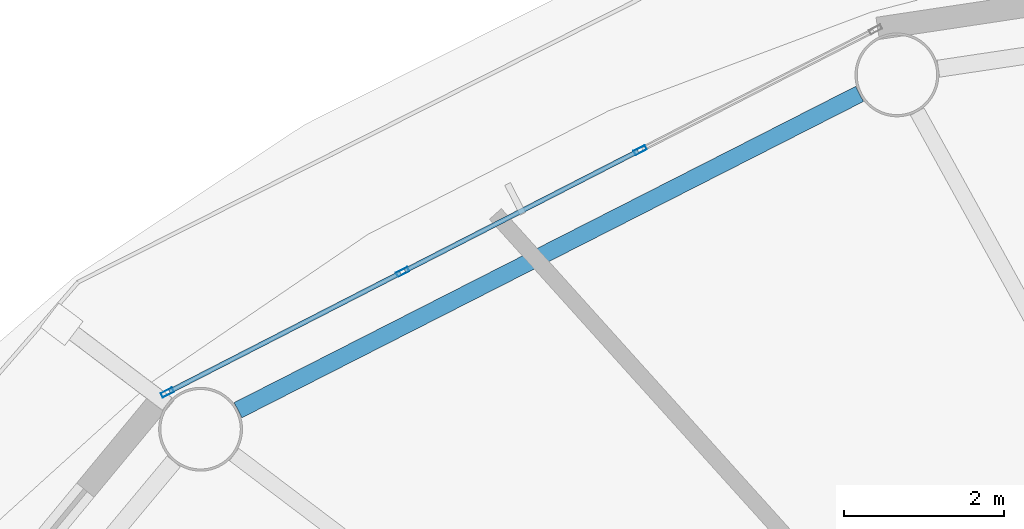
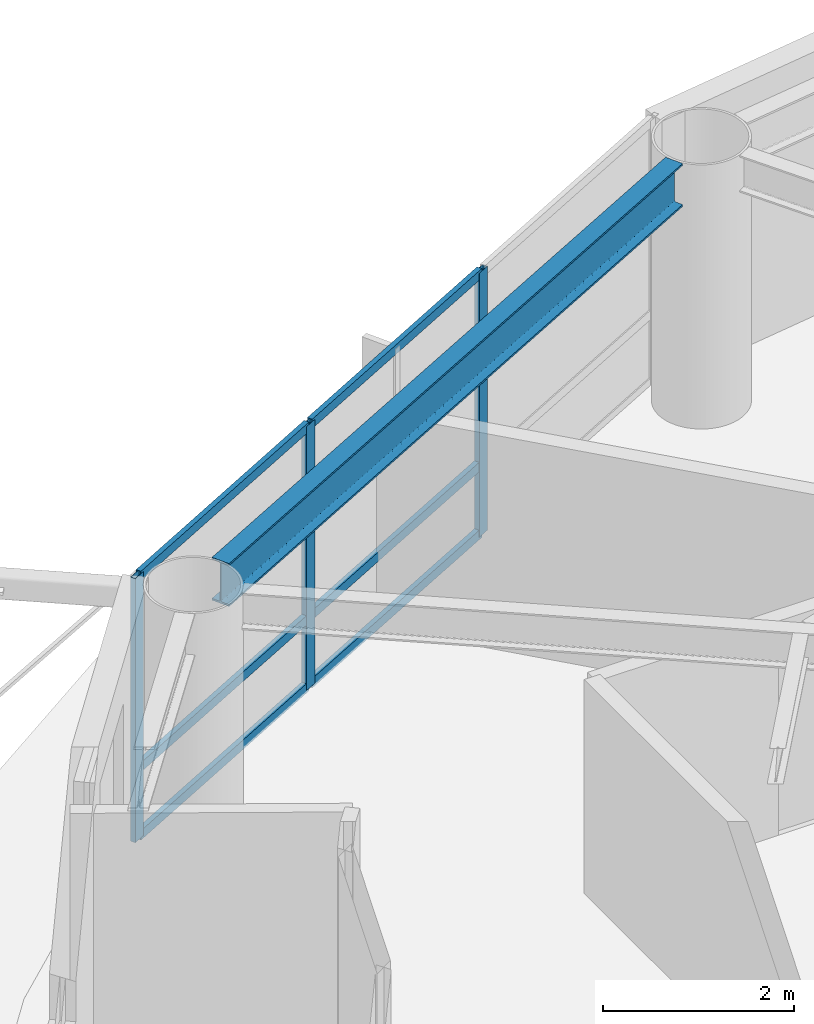
# One storey, part 11 of 29: 9 members, 1 beam, 1 element without a shape of its own.
"""IFC4 building model written with IfcOpenShell, lengths in metres."""

from ifc_helpers import new_model, si_unit, direction, frame, origin, origin_2d, place, context, subcontext, project, spatial, hollow_rectangle, i_section, extrude, material, layer, layer_set, material_profile, profile_set, type_object, element, aggregate, save


model = new_model("IFC4")

# Units and contexts
model_context = context("Model", 3, precision=1e-05, world=origin(), true_north=direction((0.0, 1.0)))
body_context = subcontext(model_context, "Body", "Model", "MODEL_VIEW")
ifc_project = project(units=[si_unit("LENGTHUNIT", "METRE"), si_unit("AREAUNIT", "SQUARE_METRE"), si_unit("VOLUMEUNIT", "CUBIC_METRE"), si_unit("PLANEANGLEUNIT", "RADIAN"), si_unit("MASSUNIT", "GRAM", prefix="KILO")], contexts=[model_context])

# Site, building, storey
site_placement = place(None, origin())
site = spatial("IfcSite", under=ifc_project, at=site_placement, CompositionType="ELEMENT")
building_placement = place(site_placement, origin())
building = spatial("IfcBuilding", under=site, at=building_placement, Name="Sarneth Arch Tower", CompositionType="ELEMENT")
storey_placement = place(building_placement, frame((0.0, 0.0, 165.0)))
storey = spatial("IfcBuildingStorey", under=building, at=storey_placement, Name="L41", CompositionType="ELEMENT", Elevation=165.0)

# Beam
ifc_material_1 = material(Name="Steel S355", Category="steel")
ifc_material_profile_1 = material_profile(ifc_material_1, i_section(OverallWidth=0.214111328125, OverallDepth=0.549072265625, WebThickness=0.0146484375, FlangeThickness=0.023681640625, FilletRadius=0.01806640625, at=origin_2d()), Name="W530x138")
ifc_profile_set_1 = profile_set([ifc_material_profile_1], Name="Steel S355")
beam_type = type_object("IfcBeamType", Name="BM-RAD-530A", PredefinedType="BEAM", material=ifc_profile_set_1)
beam_placement = place(storey_placement, frame((37.1103515625, 60.6552734375, 3.10546875), z_axis=(-0.891254220899, -0.453504039374, 0.0), x_axis=(0.453504039374, -0.891254220899, 0.0)))
element("IfcBeam", 1, at=beam_placement, inside=storey, type_object=beam_type, Name="L41 Perimeter spandrel beam 06", PredefinedType="BEAM", context=body_context, shape_type="SweptSolid", body=[
    extrude(i_section(OverallWidth=0.214111328125, OverallDepth=0.549072265625, WebThickness=0.0146484375, FlangeThickness=0.023681640625, FilletRadius=0.01806640625, at=origin_2d()), origin(), (0.0, 0.0, 1.0), 8.724853515625),
])

# Curtain wall, members
ifc_material_2 = material(Name="Anodised aluminium Type AA25 and solar-control low-e laminated IGU", Category="aluminium")
ifc_layer = layer(ifc_material_2, 0.169921875)
ifc_layer_set = layer_set([ifc_layer], Name="Anodised aluminium Type AA25 and solar-control low-e laminated IGU")
curtain_wall_type = type_object("IfcCurtainWallType", Name="CW-RES-MID", PredefinedType="NOTDEFINED", material=ifc_layer_set)
curtain_wall_placement = place(storey_placement, origin())
curtain_wall = element("IfcCurtainWall", 2, at=curtain_wall_placement, inside=storey, type_object=curtain_wall_type, Name="L41 Unitised curtain wall facet 06", PredefinedType="NOTDEFINED")
ifc_material_3 = material(Name="Anodised Aluminium 6063-T6", Category="aluminium")
ifc_material_profile_2 = material_profile(ifc_material_3, hollow_rectangle(XDim=0.06005859375, YDim=0.159912109375, WallThickness=0.00390625, at=origin_2d()), Name="AL-MULL-160x60x4")
ifc_profile_set_2 = profile_set([ifc_material_profile_2], Name="Anodised Aluminium 6063-T6")
member_type_1 = type_object("IfcMemberType", Name="CW-MULLION", PredefinedType="MULLION", material=ifc_profile_set_2)
member_1_placement = place(storey_placement, frame((34.365966796875, 59.9521484375, 0.0), z_axis=(0.0, 0.0, 1.0), x_axis=(0.456208470329, -0.88987293003, 0.0)))
member_1 = element("IfcMember", 3, at=member_1_placement, type_object=member_type_1, Name="CW-SYS-5 mullion 2", PredefinedType="MULLION", context=body_context, shape_type="SweptSolid", body=[
    extrude(hollow_rectangle(XDim=0.06005859375, YDim=0.159912109375, WallThickness=0.00390625, at=origin_2d()), origin(), (0.0, 0.0, 1.0), 3.3798828125),
])
member_2_placement = place(storey_placement, frame((31.39501953125, 58.428955078125, 0.0), z_axis=(0.0, 0.0, 1.0), x_axis=(0.456208470329, -0.88987293003, 0.0)))
member_2 = element("IfcMember", 4, at=member_2_placement, type_object=member_type_1, Name="CW-SYS-5 mullion 3", PredefinedType="MULLION", context=body_context, shape_type="SweptSolid", body=[
    extrude(hollow_rectangle(XDim=0.06005859375, YDim=0.159912109375, WallThickness=0.00390625, at=origin_2d()), origin(), (0.0, 0.0, 1.0), 3.3798828125),
])
member_3_placement = place(storey_placement, frame((28.450439453125, 56.91943359375, 0.0), z_axis=(0.0, 0.0, 1.0), x_axis=(0.456208470329, -0.88987293003, 0.0)))
member_3 = element("IfcMember", 5, at=member_3_placement, type_object=member_type_1, Name="CW-SYS-5 mullion 4", PredefinedType="MULLION", context=body_context, shape_type="SweptSolid", body=[
    extrude(hollow_rectangle(XDim=0.06005859375, YDim=0.159912109375, WallThickness=0.00390625, at=origin_2d()), origin(), (0.0, 0.0, 1.0), 3.3798828125),
])
ifc_material_4 = material(Name="Anodised Aluminium 6063-T6", Category="aluminium")
ifc_material_profile_3 = material_profile(ifc_material_4, hollow_rectangle(XDim=0.06005859375, YDim=0.1201171875, WallThickness=0.00390625, at=origin_2d()), Name="AL-TRAN-120x60x4")
ifc_profile_set_3 = profile_set([ifc_material_profile_3], Name="Anodised Aluminium 6063-T6")
member_type_2 = type_object("IfcMemberType", Name="CW-TRANSOM", PredefinedType="USERDEFINED", material=ifc_profile_set_3)
member_4_placement = place(storey_placement, frame((34.33935546875, 59.9384765625, 0.030029296875), z_axis=(-0.889869396751, -0.45621536222, 0.0), x_axis=(0.45621536222, -0.889869396751, 0.0)))
member_4 = element("IfcMember", 6, at=member_4_placement, type_object=member_type_2, Name="CW-SYS-5 transom 2.1", ObjectType="TRANSOM", PredefinedType="USERDEFINED", context=body_context, shape_type="SweptSolid", body=[
    extrude(hollow_rectangle(XDim=0.06005859375, YDim=0.1201171875, WallThickness=0.00390625, at=origin_2d()), origin(), (0.0, 0.0, 1.0), 3.27880859375),
])
member_5_placement = place(storey_placement, frame((34.33935546875, 59.9384765625, 0.89990234375), z_axis=(-0.889869396751, -0.45621536222, 0.0), x_axis=(0.45621536222, -0.889869396751, 0.0)))
member_5 = element("IfcMember", 7, at=member_5_placement, type_object=member_type_2, Name="CW-SYS-5 transom 2.2", ObjectType="TRANSOM", PredefinedType="USERDEFINED", context=body_context, shape_type="SweptSolid", body=[
    extrude(hollow_rectangle(XDim=0.06005859375, YDim=0.1201171875, WallThickness=0.00390625, at=origin_2d()), origin(), (0.0, 0.0, 1.0), 3.27880859375),
])
member_6_placement = place(storey_placement, frame((34.33935546875, 59.9384765625, 3.35009765625), z_axis=(-0.889869396751, -0.45621536222, 0.0), x_axis=(0.45621536222, -0.889869396751, 0.0)))
member_6 = element("IfcMember", 8, at=member_6_placement, type_object=member_type_2, Name="CW-SYS-5 transom 2.3", ObjectType="TRANSOM", PredefinedType="USERDEFINED", context=body_context, shape_type="SweptSolid", body=[
    extrude(hollow_rectangle(XDim=0.06005859375, YDim=0.1201171875, WallThickness=0.00390625, at=origin_2d()), origin(), (0.0, 0.0, 1.0), 3.27880859375),
])
member_7_placement = place(storey_placement, frame((31.3681640625, 58.415283203125, 0.030029296875), z_axis=(-0.889857362344, -0.456238835131, 0.0), x_axis=(0.456238835131, -0.889857362344, 0.0)))
member_7 = element("IfcMember", 9, at=member_7_placement, type_object=member_type_2, Name="CW-SYS-5 transom 3.1", ObjectType="TRANSOM", PredefinedType="USERDEFINED", context=body_context, shape_type="SweptSolid", body=[
    extrude(hollow_rectangle(XDim=0.06005859375, YDim=0.1201171875, WallThickness=0.00390625, at=origin_2d()), origin(), (0.0, 0.0, 1.0), 3.248779296875),
])
member_8_placement = place(storey_placement, frame((31.3681640625, 58.415283203125, 0.89990234375), z_axis=(-0.889857362344, -0.456238835131, 0.0), x_axis=(0.456238835131, -0.889857362344, 0.0)))
member_8 = element("IfcMember", 10, at=member_8_placement, type_object=member_type_2, Name="CW-SYS-5 transom 3.2", ObjectType="TRANSOM", PredefinedType="USERDEFINED", context=body_context, shape_type="SweptSolid", body=[
    extrude(hollow_rectangle(XDim=0.06005859375, YDim=0.1201171875, WallThickness=0.00390625, at=origin_2d()), origin(), (0.0, 0.0, 1.0), 3.248779296875),
])
member_9_placement = place(storey_placement, frame((31.3681640625, 58.415283203125, 3.35009765625), z_axis=(-0.889857362344, -0.456238835131, 0.0), x_axis=(0.456238835131, -0.889857362344, 0.0)))
member_9 = element("IfcMember", 11, at=member_9_placement, type_object=member_type_2, Name="CW-SYS-5 transom 3.3", ObjectType="TRANSOM", PredefinedType="USERDEFINED", context=body_context, shape_type="SweptSolid", body=[
    extrude(hollow_rectangle(XDim=0.06005859375, YDim=0.1201171875, WallThickness=0.00390625, at=origin_2d()), origin(), (0.0, 0.0, 1.0), 3.248779296875),
])
aggregate(curtain_wall, [member_1, member_2, member_3, member_4, member_5, member_6, member_7, member_8, member_9])

save(model, "model.ifc")
